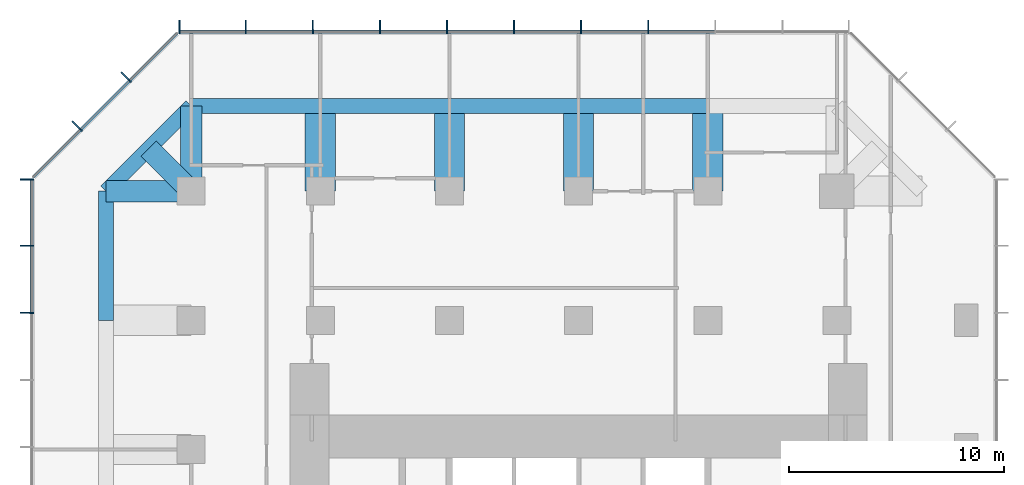
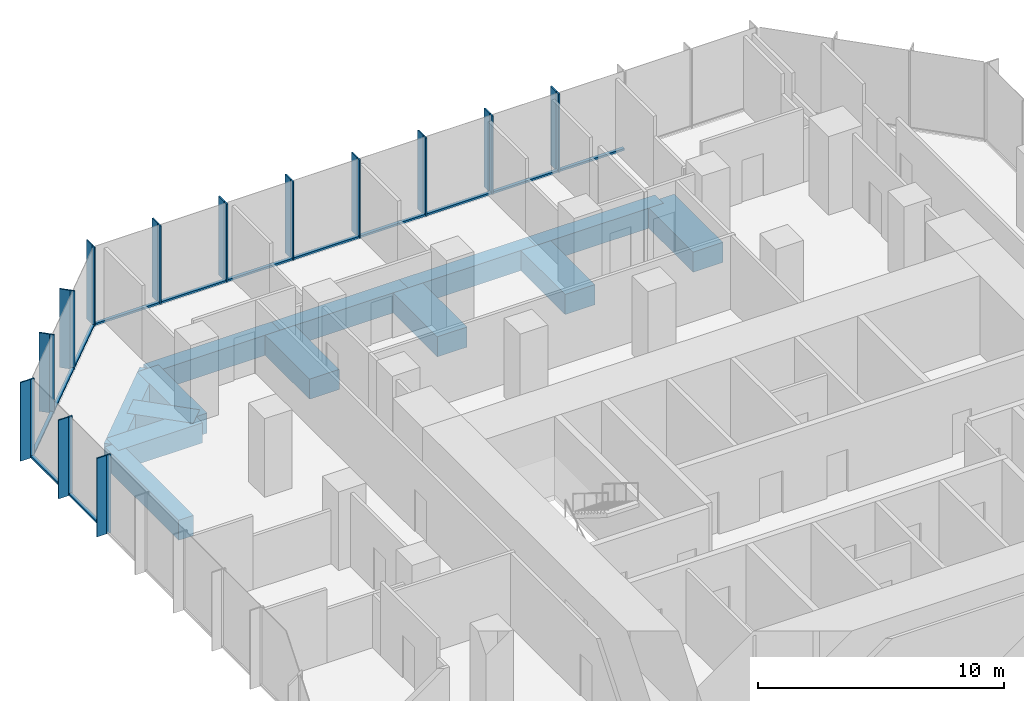
# One storey, part 5 of 11: 39 members, 13 beams, 3 elements without a shape of their own.
"""IFC4 building model written with IfcOpenShell, lengths in metres."""

from ifc_helpers import new_model, si_unit, direction, frame, origin, origin_2d, place, context, subcontext, project, spatial, rectangle, extrude, material, layer, layer_set, material_profile, profile_set, type_object, element, aggregate, save


model = new_model("IFC4")

# Units and contexts
model_context = context("Model", 3, precision=1e-05, world=origin(), true_north=direction((0.0, 1.0)))
body_context = subcontext(model_context, "Body", "Model", "MODEL_VIEW")
ifc_project = project(units=[si_unit("LENGTHUNIT", "METRE"), si_unit("AREAUNIT", "SQUARE_METRE"), si_unit("VOLUMEUNIT", "CUBIC_METRE"), si_unit("PLANEANGLEUNIT", "RADIAN"), si_unit("MASSUNIT", "GRAM", prefix="KILO")], contexts=[model_context])

# Site, building, storey
site_placement = place(None, origin())
site = spatial("IfcSite", under=ifc_project, at=site_placement, CompositionType="ELEMENT")
building_placement = place(site_placement, origin())
building = spatial("IfcBuilding", under=site, at=building_placement, Name="Highveld Stack Headquarters", CompositionType="ELEMENT")
storey_placement = place(building_placement, frame((0.0, 0.0, 204.5)))
storey = spatial("IfcBuildingStorey", under=building, at=storey_placement, Name="L50", CompositionType="ELEMENT", Elevation=204.5)

# Beams
ifc_material_1 = material(Name="Concrete C60/75", Category="concrete")
ifc_material_profile_1 = material_profile(ifc_material_1, rectangle(XDim=1.0, YDim=1.0, at=origin_2d()), Name="RC 1000x1000")
ifc_profile_set_1 = profile_set([ifc_material_profile_1], Name="Concrete C60/75")
beam_type_1 = type_object("IfcBeamType", Name="CANTILEVER RIB RC 1000x1000", PredefinedType="USERDEFINED", material=ifc_profile_set_1)
for number, where, z_axis, x_axis, name in (
    (1, (-12.0, 24.0, -0.75), (-1.0, 0.0, 0.0), (0.0, -1.0, 0.0), "Cantilever rib 4/J L50"),
    (2, (-12.0, 24.0, -0.75), (0.0, 1.0, 0.0), (-1.0, 0.0, 0.0), "Cantilever rib 4/J L50"),
):
    element("IfcBeam", number, at=place(storey_placement, frame(where, z_axis=z_axis, x_axis=x_axis)), inside=storey, type_object=beam_type_1, Name=name, ObjectType="CANTILEVER RIB", PredefinedType="USERDEFINED", context=body_context, shape_type="SweptSolid", body=[
        extrude(rectangle(XDim=1.0, YDim=1.0, at=origin_2d()), origin(), (0.0, 0.0, 1.0), 3.949951171875),
    ])
beam_1_placement = place(storey_placement, frame((-12.0, 24.0, -0.75), z_axis=(-0.707106781187, 0.707106781187, 0.0), x_axis=(-0.707106781187, -0.707106781187, 0.0)))
element("IfcBeam", 3, at=beam_1_placement, inside=storey, type_object=beam_type_1, Name="Cantilever rib 4/J L50", ObjectType="CANTILEVER RIB", PredefinedType="USERDEFINED", context=body_context, shape_type="SweptSolid", body=[
    extrude(rectangle(XDim=1.0, YDim=1.0, at=origin_2d()), origin(), (0.0, 0.0, 1.0), 2.793212890625),
])
ifc_material_2 = material(Name="Concrete C60/75", Category="concrete")
ifc_material_profile_2 = material_profile(ifc_material_2, rectangle(XDim=1.39990234375, YDim=1.0, at=origin_2d()), Name="RC 1400x1000")
ifc_profile_set_2 = profile_set([ifc_material_profile_2], Name="Concrete C60/75")
beam_type_2 = type_object("IfcBeamType", Name="CANTILEVER RIB RC 1400x1000", PredefinedType="USERDEFINED", material=ifc_profile_set_2)
for number, where, z_axis, x_axis, name in (
    (4, (-6.0, 24.0, -0.75), (0.0, 1.0, 0.0), (-1.0, 0.0, 0.0), "Cantilever rib 5/J L50"),
    (5, (0.0, 24.0, -0.75), (0.0, 1.0, 0.0), (-1.0, 0.0, 0.0), "Cantilever rib 6/J L50"),
    (6, (6.0, 24.0, -0.75), (0.0, 1.0, 0.0), (-1.0, 0.0, 0.0), "Cantilever rib 7/J L50"),
    (7, (12.0, 24.0, -0.75), (0.0, 1.0, 0.0), (-1.0, 0.0, 0.0), "Cantilever rib 8/J L50"),
):
    element("IfcBeam", number, at=place(storey_placement, frame(where, z_axis=z_axis, x_axis=x_axis)), inside=storey, type_object=beam_type_2, Name=name, ObjectType="CANTILEVER RIB", PredefinedType="USERDEFINED", context=body_context, shape_type="SweptSolid", body=[
        extrude(rectangle(XDim=1.39990234375, YDim=1.0, at=origin_2d()), origin(), (0.0, 0.0, 1.0), 3.949951171875),
    ])

# Curtain wall, members
ifc_material_3 = material(Name="Aluminium bronze anodised", Category="aluminium")
ifc_layer_1 = layer(ifc_material_3, 0.199951171875)
ifc_layer_set_1 = layer_set([ifc_layer_1], Name="Aluminium bronze anodised")
curtain_wall_type_1 = type_object("IfcCurtainWallType", Name="CW1 TOWER UNITISED CURTAIN WALL", PredefinedType="NOTDEFINED", material=ifc_layer_set_1)
curtain_wall_1_placement = place(storey_placement, origin())
curtain_wall_1 = element("IfcCurtainWall", 8, at=curtain_wall_1_placement, inside=storey, type_object=curtain_wall_type_1, Name="Curtain wall CW1 L50 N", PredefinedType="NOTDEFINED")
ifc_material_4 = material(Name="Aluminium bronze anodised", Category="aluminium")
ifc_material_profile_3 = material_profile(ifc_material_4, rectangle(XDim=0.449951171875, YDim=0.06005859375, at=origin_2d()), Name="FIN 450x60")
ifc_profile_set_3 = profile_set([ifc_material_profile_3], Name="Aluminium bronze anodised")
member_type_1 = type_object("IfcMemberType", Name="CW1 BRONZE FIN 450x60", PredefinedType="USERDEFINED", material=ifc_profile_set_3)
member_1_placement = place(storey_placement, frame((9.23193359375, 31.72509765625, 0.0), z_axis=(0.0, 0.0, 1.0), x_axis=(0.0, -1.0, 0.0)))
member_1 = element("IfcMember", 9, at=member_1_placement, type_object=member_type_1, Name="CW1 fin L50 4", ObjectType="FIN", PredefinedType="USERDEFINED", context=body_context, shape_type="SweptSolid", body=[
    extrude(rectangle(XDim=0.449951171875, YDim=0.06005859375, at=origin_2d()), origin(), (0.0, 0.0, 1.0), 3.89990234375),
])
member_2_placement = place(storey_placement, frame((6.115966796875, 31.72509765625, 0.0), z_axis=(0.0, 0.0, 1.0), x_axis=(0.0, -1.0, 0.0)))
member_2 = element("IfcMember", 10, at=member_2_placement, type_object=member_type_1, Name="CW1 fin L50 5", ObjectType="FIN", PredefinedType="USERDEFINED", context=body_context, shape_type="SweptSolid", body=[
    extrude(rectangle(XDim=0.449951171875, YDim=0.06005859375, at=origin_2d()), origin(), (0.0, 0.0, 1.0), 3.89990234375),
])
member_3_placement = place(storey_placement, frame((3.0, 31.72509765625, 0.0), z_axis=(0.0, 0.0, 1.0), x_axis=(0.0, -1.0, 0.0)))
member_3 = element("IfcMember", 11, at=member_3_placement, type_object=member_type_1, Name="CW1 fin L50 6", ObjectType="FIN", PredefinedType="USERDEFINED", context=body_context, shape_type="SweptSolid", body=[
    extrude(rectangle(XDim=0.449951171875, YDim=0.06005859375, at=origin_2d()), origin(), (0.0, 0.0, 1.0), 3.89990234375),
])
member_4_placement = place(storey_placement, frame((-0.115966796875, 31.72509765625, 0.0), z_axis=(0.0, 0.0, 1.0), x_axis=(0.0, -1.0, 0.0)))
member_4 = element("IfcMember", 12, at=member_4_placement, type_object=member_type_1, Name="CW1 fin L50 7", ObjectType="FIN", PredefinedType="USERDEFINED", context=body_context, shape_type="SweptSolid", body=[
    extrude(rectangle(XDim=0.449951171875, YDim=0.06005859375, at=origin_2d()), origin(), (0.0, 0.0, 1.0), 3.89990234375),
])
member_5_placement = place(storey_placement, frame((-3.23193359375, 31.72509765625, 0.0), z_axis=(0.0, 0.0, 1.0), x_axis=(0.0, -1.0, 0.0)))
member_5 = element("IfcMember", 13, at=member_5_placement, type_object=member_type_1, Name="CW1 fin L50 8", ObjectType="FIN", PredefinedType="USERDEFINED", context=body_context, shape_type="SweptSolid", body=[
    extrude(rectangle(XDim=0.449951171875, YDim=0.06005859375, at=origin_2d()), origin(), (0.0, 0.0, 1.0), 3.89990234375),
])
member_6_placement = place(storey_placement, frame((-6.347900390625, 31.72509765625, 0.0), z_axis=(0.0, 0.0, 1.0), x_axis=(0.0, -1.0, 0.0)))
member_6 = element("IfcMember", 14, at=member_6_placement, type_object=member_type_1, Name="CW1 fin L50 9", ObjectType="FIN", PredefinedType="USERDEFINED", context=body_context, shape_type="SweptSolid", body=[
    extrude(rectangle(XDim=0.449951171875, YDim=0.06005859375, at=origin_2d()), origin(), (0.0, 0.0, 1.0), 3.89990234375),
])
member_7_placement = place(storey_placement, frame((-9.4638671875, 31.72509765625, 0.0), z_axis=(0.0, 0.0, 1.0), x_axis=(0.0, -1.0, 0.0)))
member_7 = element("IfcMember", 15, at=member_7_placement, type_object=member_type_1, Name="CW1 fin L50 10", ObjectType="FIN", PredefinedType="USERDEFINED", context=body_context, shape_type="SweptSolid", body=[
    extrude(rectangle(XDim=0.449951171875, YDim=0.06005859375, at=origin_2d()), origin(), (0.0, 0.0, 1.0), 3.89990234375),
])
member_8_placement = place(storey_placement, frame((-12.54736328125, 31.72509765625, 0.0), z_axis=(0.0, 0.0, 1.0), x_axis=(0.0, -1.0, 0.0)))
member_8 = element("IfcMember", 16, at=member_8_placement, type_object=member_type_1, Name="CW1 fin L50 11", ObjectType="FIN", PredefinedType="USERDEFINED", context=body_context, shape_type="SweptSolid", body=[
    extrude(rectangle(XDim=0.449951171875, YDim=0.06005859375, at=origin_2d()), origin(), (0.0, 0.0, 1.0), 3.89990234375),
])

curtain_wall_2_placement = place(storey_placement, origin())
curtain_wall_2 = element("IfcCurtainWall", 17, at=curtain_wall_2_placement, inside=storey, type_object=curtain_wall_type_1, Name="Curtain wall CW1 L50 W", PredefinedType="NOTDEFINED")
member_9_placement = place(storey_placement, frame((-19.72509765625, 24.54736328125, 0.0), z_axis=(0.0, 0.0, 1.0), x_axis=(1.0, 0.0, 0.0)))
member_9 = element("IfcMember", 18, at=member_9_placement, type_object=member_type_1, Name="CW1 fin L50 1", ObjectType="FIN", PredefinedType="USERDEFINED", context=body_context, shape_type="SweptSolid", body=[
    extrude(rectangle(XDim=0.449951171875, YDim=0.06005859375, at=origin_2d()), origin(), (0.0, 0.0, 1.0), 3.89990234375),
])
member_10_placement = place(storey_placement, frame((-19.72509765625, 21.4638671875, 0.0), z_axis=(0.0, 0.0, 1.0), x_axis=(1.0, 0.0, 0.0)))
member_10 = element("IfcMember", 19, at=member_10_placement, type_object=member_type_1, Name="CW1 fin L50 2", ObjectType="FIN", PredefinedType="USERDEFINED", context=body_context, shape_type="SweptSolid", body=[
    extrude(rectangle(XDim=0.449951171875, YDim=0.06005859375, at=origin_2d()), origin(), (0.0, 0.0, 1.0), 3.89990234375),
])
member_11_placement = place(storey_placement, frame((-19.72509765625, 18.347900390625, 0.0), z_axis=(0.0, 0.0, 1.0), x_axis=(1.0, 0.0, 0.0)))
member_11 = element("IfcMember", 20, at=member_11_placement, type_object=member_type_1, Name="CW1 fin L50 3", ObjectType="FIN", PredefinedType="USERDEFINED", context=body_context, shape_type="SweptSolid", body=[
    extrude(rectangle(XDim=0.449951171875, YDim=0.06005859375, at=origin_2d()), origin(), (0.0, 0.0, 1.0), 3.89990234375),
])

# Member
ifc_material_5 = material(Name="Aluminium bronze anodised", Category="aluminium")
ifc_material_profile_4 = material_profile(ifc_material_5, rectangle(XDim=0.199951171875, YDim=0.06494140625, at=origin_2d()), Name="CW1 MULLION 65x200")
ifc_profile_set_4 = profile_set([ifc_material_profile_4], Name="Aluminium bronze anodised")
member_type_2 = type_object("IfcMemberType", Name="CW1 MULLION 65x200", PredefinedType="MULLION", material=ifc_profile_set_4)
member_12_placement = place(storey_placement, frame((9.23193359375, 31.39990234375, 0.0), z_axis=(0.0, 0.0, 1.0), x_axis=(0.0, -1.0, 0.0)))
member_12 = element("IfcMember", 21, at=member_12_placement, type_object=member_type_2, Name="CW1 mullion L50 4", PredefinedType="MULLION", context=body_context, shape_type="SweptSolid", body=[
    extrude(rectangle(XDim=0.199951171875, YDim=0.06494140625, at=origin_2d()), origin(), (0.0, 0.0, 1.0), 3.89990234375),
])

member_13_placement = place(storey_placement, frame((6.115966796875, 31.39990234375, 0.0), z_axis=(0.0, 0.0, 1.0), x_axis=(0.0, -1.0, 0.0)))
member_13 = element("IfcMember", 22, at=member_13_placement, type_object=member_type_2, Name="CW1 mullion L50 5", PredefinedType="MULLION", context=body_context, shape_type="SweptSolid", body=[
    extrude(rectangle(XDim=0.199951171875, YDim=0.06494140625, at=origin_2d()), origin(), (0.0, 0.0, 1.0), 3.89990234375),
])

member_14_placement = place(storey_placement, frame((3.0, 31.39990234375, 0.0), z_axis=(0.0, 0.0, 1.0), x_axis=(0.0, -1.0, 0.0)))
member_14 = element("IfcMember", 23, at=member_14_placement, type_object=member_type_2, Name="CW1 mullion L50 6", PredefinedType="MULLION", context=body_context, shape_type="SweptSolid", body=[
    extrude(rectangle(XDim=0.199951171875, YDim=0.06494140625, at=origin_2d()), origin(), (0.0, 0.0, 1.0), 3.89990234375),
])

member_15_placement = place(storey_placement, frame((-0.115966796875, 31.39990234375, 0.0), z_axis=(0.0, 0.0, 1.0), x_axis=(0.0, -1.0, 0.0)))
member_15 = element("IfcMember", 24, at=member_15_placement, type_object=member_type_2, Name="CW1 mullion L50 7", PredefinedType="MULLION", context=body_context, shape_type="SweptSolid", body=[
    extrude(rectangle(XDim=0.199951171875, YDim=0.06494140625, at=origin_2d()), origin(), (0.0, 0.0, 1.0), 3.89990234375),
])

member_16_placement = place(storey_placement, frame((-3.23193359375, 31.39990234375, 0.0), z_axis=(0.0, 0.0, 1.0), x_axis=(0.0, -1.0, 0.0)))
member_16 = element("IfcMember", 25, at=member_16_placement, type_object=member_type_2, Name="CW1 mullion L50 8", PredefinedType="MULLION", context=body_context, shape_type="SweptSolid", body=[
    extrude(rectangle(XDim=0.199951171875, YDim=0.06494140625, at=origin_2d()), origin(), (0.0, 0.0, 1.0), 3.89990234375),
])

member_17_placement = place(storey_placement, frame((-6.347900390625, 31.39990234375, 0.0), z_axis=(0.0, 0.0, 1.0), x_axis=(0.0, -1.0, 0.0)))
member_17 = element("IfcMember", 26, at=member_17_placement, type_object=member_type_2, Name="CW1 mullion L50 9", PredefinedType="MULLION", context=body_context, shape_type="SweptSolid", body=[
    extrude(rectangle(XDim=0.199951171875, YDim=0.06494140625, at=origin_2d()), origin(), (0.0, 0.0, 1.0), 3.89990234375),
])

member_18_placement = place(storey_placement, frame((-9.4638671875, 31.39990234375, 0.0), z_axis=(0.0, 0.0, 1.0), x_axis=(0.0, -1.0, 0.0)))
member_18 = element("IfcMember", 27, at=member_18_placement, type_object=member_type_2, Name="CW1 mullion L50 10", PredefinedType="MULLION", context=body_context, shape_type="SweptSolid", body=[
    extrude(rectangle(XDim=0.199951171875, YDim=0.06494140625, at=origin_2d()), origin(), (0.0, 0.0, 1.0), 3.89990234375),
])

member_19_placement = place(storey_placement, frame((-12.54736328125, 31.39990234375, 0.0), z_axis=(0.0, 0.0, 1.0), x_axis=(0.0, -1.0, 0.0)))
member_19 = element("IfcMember", 28, at=member_19_placement, type_object=member_type_2, Name="CW1 mullion L50 11", PredefinedType="MULLION", context=body_context, shape_type="SweptSolid", body=[
    extrude(rectangle(XDim=0.199951171875, YDim=0.06494140625, at=origin_2d()), origin(), (0.0, 0.0, 1.0), 3.89990234375),
])

member_20_placement = place(storey_placement, frame((-19.39990234375, 24.54736328125, 0.0), z_axis=(0.0, 0.0, 1.0), x_axis=(1.0, 0.0, 0.0)))
member_20 = element("IfcMember", 29, at=member_20_placement, type_object=member_type_2, Name="CW1 mullion L50 1", PredefinedType="MULLION", context=body_context, shape_type="SweptSolid", body=[
    extrude(rectangle(XDim=0.199951171875, YDim=0.06494140625, at=origin_2d()), origin(), (0.0, 0.0, 1.0), 3.89990234375),
])

member_21_placement = place(storey_placement, frame((-19.39990234375, 21.4638671875, 0.0), z_axis=(0.0, 0.0, 1.0), x_axis=(1.0, 0.0, 0.0)))
member_21 = element("IfcMember", 30, at=member_21_placement, type_object=member_type_2, Name="CW1 mullion L50 2", PredefinedType="MULLION", context=body_context, shape_type="SweptSolid", body=[
    extrude(rectangle(XDim=0.199951171875, YDim=0.06494140625, at=origin_2d()), origin(), (0.0, 0.0, 1.0), 3.89990234375),
])

member_22_placement = place(storey_placement, frame((-19.39990234375, 18.347900390625, 0.0), z_axis=(0.0, 0.0, 1.0), x_axis=(1.0, 0.0, 0.0)))
member_22 = element("IfcMember", 31, at=member_22_placement, type_object=member_type_2, Name="CW1 mullion L50 3", PredefinedType="MULLION", context=body_context, shape_type="SweptSolid", body=[
    extrude(rectangle(XDim=0.199951171875, YDim=0.06494140625, at=origin_2d()), origin(), (0.0, 0.0, 1.0), 3.89990234375),
])

ifc_material_6 = material(Name="Aluminium bronze anodised", Category="aluminium")
ifc_material_profile_5 = material_profile(ifc_material_6, rectangle(XDim=0.14990234375, YDim=0.10009765625, at=origin_2d()), Name="CW1 TRANSOM 150x100")
ifc_profile_set_5 = profile_set([ifc_material_profile_5], Name="Aluminium bronze anodised")
member_type_3 = type_object("IfcMemberType", Name="CW1 STACK TRANSOM 150x100", PredefinedType="USERDEFINED", material=ifc_profile_set_5)
member_23_placement = place(storey_placement, frame((12.3154296875, 31.39990234375, 0.050048828125), z_axis=(-1.0, 0.0, 0.0), x_axis=(0.0, -1.0, 0.0)))
member_23 = element("IfcMember", 32, at=member_23_placement, type_object=member_type_3, Name="CW1 transom L50 3.1", ObjectType="TRANSOM", PredefinedType="USERDEFINED", context=body_context, shape_type="SweptSolid", body=[
    extrude(rectangle(XDim=0.14990234375, YDim=0.10009765625, at=origin_2d()), origin(), (0.0, 0.0, 1.0), 3.051025390625),
])

member_24_placement = place(storey_placement, frame((9.199462890625, 31.39990234375, 0.050048828125), z_axis=(-1.0, 0.0, 0.0), x_axis=(0.0, -1.0, 0.0)))
member_24 = element("IfcMember", 33, at=member_24_placement, type_object=member_type_3, Name="CW1 transom L50 4.1", ObjectType="TRANSOM", PredefinedType="USERDEFINED", context=body_context, shape_type="SweptSolid", body=[
    extrude(rectangle(XDim=0.14990234375, YDim=0.10009765625, at=origin_2d()), origin(), (0.0, 0.0, 1.0), 3.051025390625),
])

member_25_placement = place(storey_placement, frame((6.08349609375, 31.39990234375, 0.050048828125), z_axis=(-1.0, 0.0, 0.0), x_axis=(0.0, -1.0, 0.0)))
member_25 = element("IfcMember", 34, at=member_25_placement, type_object=member_type_3, Name="CW1 transom L50 5.1", ObjectType="TRANSOM", PredefinedType="USERDEFINED", context=body_context, shape_type="SweptSolid", body=[
    extrude(rectangle(XDim=0.14990234375, YDim=0.10009765625, at=origin_2d()), origin(), (0.0, 0.0, 1.0), 3.051025390625),
])

member_26_placement = place(storey_placement, frame((2.967529296875, 31.39990234375, 0.050048828125), z_axis=(-1.0, 0.0, 0.0), x_axis=(0.0, -1.0, 0.0)))
member_26 = element("IfcMember", 35, at=member_26_placement, type_object=member_type_3, Name="CW1 transom L50 6.1", ObjectType="TRANSOM", PredefinedType="USERDEFINED", context=body_context, shape_type="SweptSolid", body=[
    extrude(rectangle(XDim=0.14990234375, YDim=0.10009765625, at=origin_2d()), origin(), (0.0, 0.0, 1.0), 3.051025390625),
])

member_27_placement = place(storey_placement, frame((-0.1484375, 31.39990234375, 0.050048828125), z_axis=(-1.0, 0.0, 0.0), x_axis=(0.0, -1.0, 0.0)))
member_27 = element("IfcMember", 36, at=member_27_placement, type_object=member_type_3, Name="CW1 transom L50 7.1", ObjectType="TRANSOM", PredefinedType="USERDEFINED", context=body_context, shape_type="SweptSolid", body=[
    extrude(rectangle(XDim=0.14990234375, YDim=0.10009765625, at=origin_2d()), origin(), (0.0, 0.0, 1.0), 3.051025390625),
])

member_28_placement = place(storey_placement, frame((-3.264404296875, 31.39990234375, 0.050048828125), z_axis=(-1.0, 0.0, 0.0), x_axis=(0.0, -1.0, 0.0)))
member_28 = element("IfcMember", 37, at=member_28_placement, type_object=member_type_3, Name="CW1 transom L50 8.1", ObjectType="TRANSOM", PredefinedType="USERDEFINED", context=body_context, shape_type="SweptSolid", body=[
    extrude(rectangle(XDim=0.14990234375, YDim=0.10009765625, at=origin_2d()), origin(), (0.0, 0.0, 1.0), 3.051025390625),
])

member_29_placement = place(storey_placement, frame((-6.38037109375, 31.39990234375, 0.050048828125), z_axis=(-1.0, 0.0, 0.0), x_axis=(0.0, -1.0, 0.0)))
member_29 = element("IfcMember", 38, at=member_29_placement, type_object=member_type_3, Name="CW1 transom L50 9.1", ObjectType="TRANSOM", PredefinedType="USERDEFINED", context=body_context, shape_type="SweptSolid", body=[
    extrude(rectangle(XDim=0.14990234375, YDim=0.10009765625, at=origin_2d()), origin(), (0.0, 0.0, 1.0), 3.051025390625),
])

member_30_placement = place(storey_placement, frame((-9.496337890625, 31.39990234375, 0.050048828125), z_axis=(-1.0, 0.0, 0.0), x_axis=(0.0, -1.0, 0.0)))
member_30 = element("IfcMember", 39, at=member_30_placement, type_object=member_type_3, Name="CW1 transom L50 10.1", ObjectType="TRANSOM", PredefinedType="USERDEFINED", context=body_context, shape_type="SweptSolid", body=[
    extrude(rectangle(XDim=0.14990234375, YDim=0.10009765625, at=origin_2d()), origin(), (0.0, 0.0, 1.0), 3.0185546875),
])

aggregate(curtain_wall_1, [member_12, member_1, member_13, member_2, member_14, member_3, member_15, member_4, member_16, member_5, member_17, member_6, member_18, member_7, member_19, member_8, member_23, member_24, member_25, member_26, member_27, member_28, member_29, member_30])

member_31_placement = place(storey_placement, frame((-19.39990234375, 24.514892578125, 0.050048828125), z_axis=(0.0, -1.0, 0.0), x_axis=(1.0, 0.0, 0.0)))
member_31 = element("IfcMember", 40, at=member_31_placement, type_object=member_type_3, Name="CW1 transom L50 1.1", ObjectType="TRANSOM", PredefinedType="USERDEFINED", context=body_context, shape_type="SweptSolid", body=[
    extrude(rectangle(XDim=0.14990234375, YDim=0.10009765625, at=origin_2d()), origin(), (0.0, 0.0, 1.0), 3.0185546875),
])

member_32_placement = place(storey_placement, frame((-19.39990234375, 21.431396484375, 0.050048828125), z_axis=(0.0, -1.0, 0.0), x_axis=(1.0, 0.0, 0.0)))
member_32 = element("IfcMember", 41, at=member_32_placement, type_object=member_type_3, Name="CW1 transom L50 2.1", ObjectType="TRANSOM", PredefinedType="USERDEFINED", context=body_context, shape_type="SweptSolid", body=[
    extrude(rectangle(XDim=0.14990234375, YDim=0.10009765625, at=origin_2d()), origin(), (0.0, 0.0, 1.0), 3.051025390625),
])

aggregate(curtain_wall_2, [member_20, member_9, member_21, member_10, member_22, member_11, member_31, member_32])

# Curtain wall, members
ifc_material_7 = material(Name="Aluminium bronze anodised", Category="aluminium")
ifc_layer_2 = layer(ifc_material_7, 0.199951171875)
ifc_layer_set_2 = layer_set([ifc_layer_2], Name="Aluminium bronze anodised")
curtain_wall_type_2 = type_object("IfcCurtainWallType", Name="CW2 TOWER CHAMFER UNITISED CURTAIN WALL", PredefinedType="NOTDEFINED", material=ifc_layer_set_2)
curtain_wall_3_placement = place(storey_placement, origin())
curtain_wall_3 = element("IfcCurtainWall", 42, at=curtain_wall_3_placement, inside=storey, type_object=curtain_wall_type_2, Name="Curtain wall CW2 L50 NW", PredefinedType="NOTDEFINED")
ifc_material_8 = material(Name="Aluminium bronze anodised", Category="aluminium")
ifc_material_profile_6 = material_profile(ifc_material_8, rectangle(XDim=0.449951171875, YDim=0.06005859375, at=origin_2d()), Name="FIN 450x60")
ifc_profile_set_6 = profile_set([ifc_material_profile_6], Name="Aluminium bronze anodised")
member_type_4 = type_object("IfcMemberType", Name="CW2 BRONZE FIN 450x60", PredefinedType="USERDEFINED", material=ifc_profile_set_6)
member_33_placement = place(storey_placement, frame((-15.0830078125, 29.3564453125, 0.0), z_axis=(0.0, 0.0, 1.0), x_axis=(0.707106781187, -0.707106781187, 0.0)))
member_33 = element("IfcMember", 43, at=member_33_placement, type_object=member_type_4, Name="CW2 fin L50 1", ObjectType="FIN", PredefinedType="USERDEFINED", context=body_context, shape_type="SweptSolid", body=[
    extrude(rectangle(XDim=0.449951171875, YDim=0.06005859375, at=origin_2d()), origin(), (0.0, 0.0, 1.0), 3.89990234375),
])
member_34_placement = place(storey_placement, frame((-17.3564453125, 27.0830078125, 0.0), z_axis=(0.0, 0.0, 1.0), x_axis=(0.707106781187, -0.707106781187, 0.0)))
member_34 = element("IfcMember", 44, at=member_34_placement, type_object=member_type_4, Name="CW2 fin L50 2", ObjectType="FIN", PredefinedType="USERDEFINED", context=body_context, shape_type="SweptSolid", body=[
    extrude(rectangle(XDim=0.449951171875, YDim=0.06005859375, at=origin_2d()), origin(), (0.0, 0.0, 1.0), 3.89990234375),
])
ifc_material_9 = material(Name="Aluminium bronze anodised", Category="aluminium")
ifc_material_profile_7 = material_profile(ifc_material_9, rectangle(XDim=0.199951171875, YDim=0.06494140625, at=origin_2d()), Name="CW2 MULLION 65x200")
ifc_profile_set_7 = profile_set([ifc_material_profile_7], Name="Aluminium bronze anodised")
member_type_5 = type_object("IfcMemberType", Name="CW2 MULLION 65x200", PredefinedType="MULLION", material=ifc_profile_set_7)
member_35_placement = place(storey_placement, frame((-14.853271484375, 29.126708984375, 0.0), z_axis=(0.0, 0.0, 1.0), x_axis=(0.707106781187, -0.707106781187, 0.0)))
member_35 = element("IfcMember", 45, at=member_35_placement, type_object=member_type_5, Name="CW2 mullion L50 1", PredefinedType="MULLION", context=body_context, shape_type="SweptSolid", body=[
    extrude(rectangle(XDim=0.199951171875, YDim=0.06494140625, at=origin_2d()), origin(), (0.0, 0.0, 1.0), 3.89990234375),
])
member_36_placement = place(storey_placement, frame((-17.126708984375, 26.853271484375, 0.0), z_axis=(0.0, 0.0, 1.0), x_axis=(0.707106781187, -0.707106781187, 0.0)))
member_36 = element("IfcMember", 46, at=member_36_placement, type_object=member_type_5, Name="CW2 mullion L50 2", PredefinedType="MULLION", context=body_context, shape_type="SweptSolid", body=[
    extrude(rectangle(XDim=0.199951171875, YDim=0.06494140625, at=origin_2d()), origin(), (0.0, 0.0, 1.0), 3.89990234375),
])
ifc_material_10 = material(Name="Aluminium bronze anodised", Category="aluminium")
ifc_material_profile_8 = material_profile(ifc_material_10, rectangle(XDim=0.14990234375, YDim=0.10009765625, at=origin_2d()), Name="CW2 TRANSOM 150x100")
ifc_profile_set_8 = profile_set([ifc_material_profile_8], Name="Aluminium bronze anodised")
member_type_6 = type_object("IfcMemberType", Name="CW2 STACK TRANSOM 150x100", PredefinedType="USERDEFINED", material=ifc_profile_set_8)
member_37_placement = place(storey_placement, frame((-12.650634765625, 31.329345703125, 0.050048828125), z_axis=(-0.707106781187, -0.707106781187, 0.0), x_axis=(0.707106781187, -0.707106781187, 0.0)))
member_37 = element("IfcMember", 47, at=member_37_placement, type_object=member_type_6, Name="CW2 transom L50 1.1", ObjectType="TRANSOM", PredefinedType="USERDEFINED", context=body_context, shape_type="SweptSolid", body=[
    extrude(rectangle(XDim=0.14990234375, YDim=0.10009765625, at=origin_2d()), origin(), (0.0, 0.0, 1.0), 3.08251953125),
])
member_38_placement = place(storey_placement, frame((-14.876220703125, 29.103759765625, 0.050048828125), z_axis=(-0.707106781187, -0.707106781187, 0.0), x_axis=(0.707106781187, -0.707106781187, 0.0)))
member_38 = element("IfcMember", 48, at=member_38_placement, type_object=member_type_6, Name="CW2 transom L50 2.1", ObjectType="TRANSOM", PredefinedType="USERDEFINED", context=body_context, shape_type="SweptSolid", body=[
    extrude(rectangle(XDim=0.14990234375, YDim=0.10009765625, at=origin_2d()), origin(), (0.0, 0.0, 1.0), 3.150146484375),
])
member_39_placement = place(storey_placement, frame((-17.149658203125, 26.830322265625, 0.050048828125), z_axis=(-0.707106781187, -0.707106781187, 0.0), x_axis=(0.707106781187, -0.707106781187, 0.0)))
member_39 = element("IfcMember", 49, at=member_39_placement, type_object=member_type_6, Name="CW2 transom L50 3.1", ObjectType="TRANSOM", PredefinedType="USERDEFINED", context=body_context, shape_type="SweptSolid", body=[
    extrude(rectangle(XDim=0.14990234375, YDim=0.10009765625, at=origin_2d()), origin(), (0.0, 0.0, 1.0), 3.08251953125),
])
aggregate(curtain_wall_3, [member_35, member_33, member_36, member_34, member_37, member_38, member_39])

# Beams
ifc_material_11 = material(Name="Concrete C60/75", Category="concrete")
ifc_material_profile_9 = material_profile(ifc_material_11, rectangle(XDim=0.699951171875, YDim=1.0, at=origin_2d()), Name="RC 700x1000")
ifc_profile_set_9 = profile_set([ifc_material_profile_9], Name="Concrete C60/75")
beam_type_3 = type_object("IfcBeamType", Name="RIB TIP BEAM RC 700x1000", PredefinedType="SPANDREL", material=ifc_profile_set_9)
for number, where, z_axis, x_axis, name in (
    (50, (-15.949951171875, 18.0, -0.75), (0.0, 1.0, 0.0), (-1.0, 0.0, 0.0), "Rib tip beam 4/H to 4/J L50"),
    (51, (-12.0, 27.949951171875, -0.75), (1.0, 0.0, 0.0), (0.0, 1.0, 0.0), "Rib tip beam 4/J to 5/J L50"),
    (52, (-6.0, 27.949951171875, -0.75), (1.0, 0.0, 0.0), (0.0, 1.0, 0.0), "Rib tip beam 5/J to 6/J L50"),
    (53, (0.0, 27.949951171875, -0.75), (1.0, 0.0, 0.0), (0.0, 1.0, 0.0), "Rib tip beam 6/J to 7/J L50"),
    (54, (6.0, 27.949951171875, -0.75), (1.0, 0.0, 0.0), (0.0, 1.0, 0.0), "Rib tip beam 7/J to 8/J L50"),
):
    element("IfcBeam", number, at=place(storey_placement, frame(where, z_axis=z_axis, x_axis=x_axis)), inside=storey, type_object=beam_type_3, Name=name, PredefinedType="SPANDREL", context=body_context, shape_type="SweptSolid", body=[
        extrude(rectangle(XDim=0.699951171875, YDim=1.0, at=origin_2d()), origin(), (0.0, 0.0, 1.0), 6.0),
    ])
beam_2_placement = place(storey_placement, frame((-15.949951171875, 24.0, -0.75), z_axis=(0.707106781187, 0.707106781187, 0.0), x_axis=(-0.707106781187, 0.707106781187, 0.0)))
element("IfcBeam", 55, at=beam_2_placement, inside=storey, type_object=beam_type_3, Name="Rib tip beam 4/J corner L50", PredefinedType="SPANDREL", context=body_context, shape_type="SweptSolid", body=[
    extrude(rectangle(XDim=0.699951171875, YDim=1.0, at=origin_2d()), origin(), (0.0, 0.0, 1.0), 5.586181640625),
])

save(model, "model.ifc")
